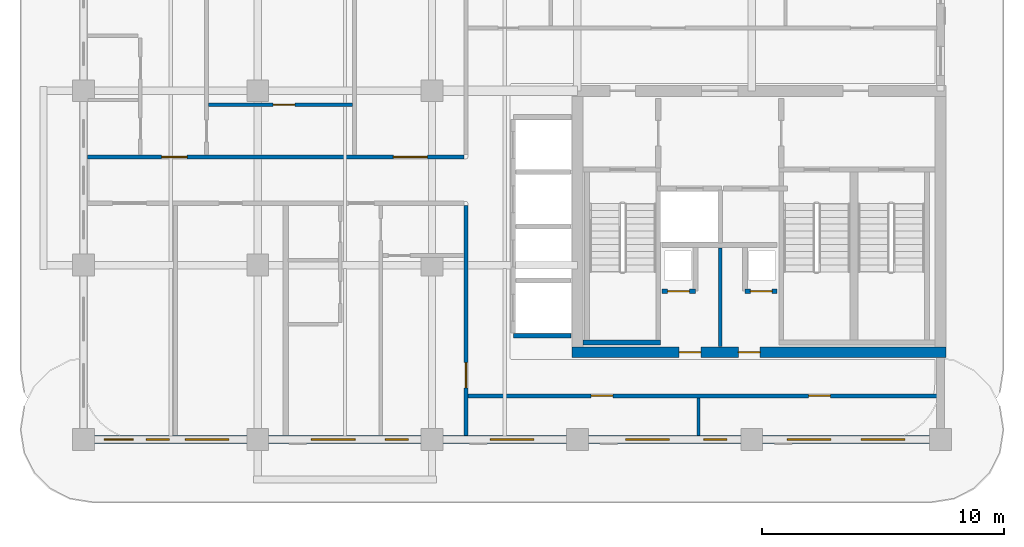
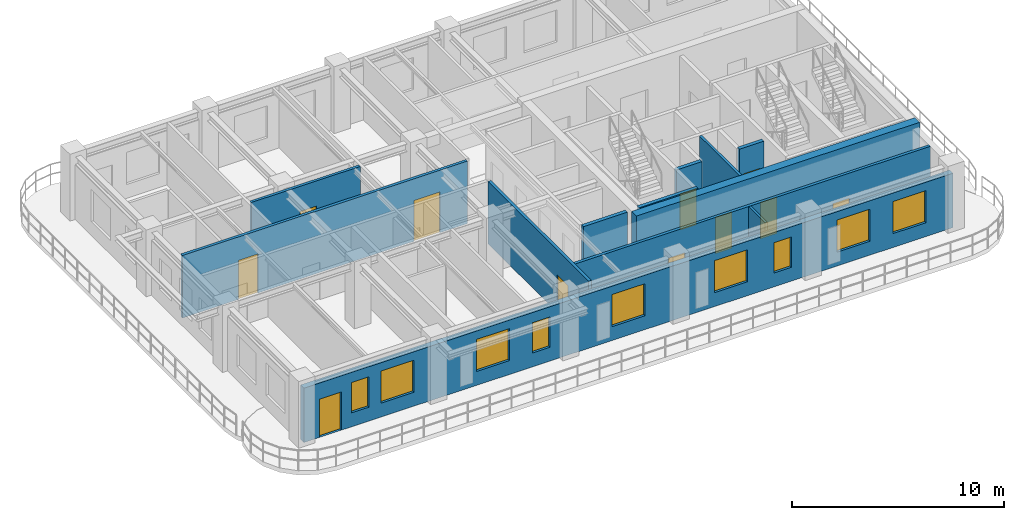
# One storey, part 3 of 8: 12 walls, 11 doors, 9 windows, 20 openings.
"""IFC4 building model written with IfcOpenShell, lengths in metres."""

from ifc_helpers import new_model, si_unit, derived_unit, direction, frame, frame_2d, origin, place, context, subcontext, project, spatial, rectangle, extrude, source, transform, mapped, material, layer, layer_set, type_object, type_shapes, element, fill, save


model = new_model("IFC4")

# Units and contexts
model_context = context("Model", 3, precision=1e-05, world=origin(), true_north=direction((0.0, 1.0)))
body_context = subcontext(model_context, "Body", "Model", "MODEL_VIEW")
ifc_project = project(units=[si_unit("LENGTHUNIT", "METRE"), si_unit("AREAUNIT", "SQUARE_METRE"), si_unit("VOLUMEUNIT", "CUBIC_METRE"), si_unit("PLANEANGLEUNIT", "RADIAN"), si_unit("MASSUNIT", "GRAM", prefix="KILO"), si_unit("THERMODYNAMICTEMPERATUREUNIT", "KELVIN"), si_unit("POWERUNIT", "WATT"), derived_unit("THERMALTRANSMITTANCEUNIT", [(si_unit("POWERUNIT", "WATT"), 1), (si_unit("AREAUNIT", "SQUARE_METRE"), -1), (si_unit("THERMODYNAMICTEMPERATUREUNIT", "KELVIN"), -1)])], contexts=[model_context])

# Site, building, storey
site_placement = place(None, origin())
site = spatial("IfcSite", under=ifc_project, at=site_placement, CompositionType="ELEMENT")
building_placement = place(site_placement, origin())
building = spatial("IfcBuilding", under=site, at=building_placement, Name="Zahravan Archway Hotel and Residences", CompositionType="ELEMENT")
storey_placement = place(building_placement, frame((0.0, 0.0, 232.699951171875)))
storey = spatial("IfcBuildingStorey", under=building, at=storey_placement, Name="L58", CompositionType="ELEMENT", Elevation=232.699951171875)

# Wall, openings, doors
ifc_material_1 = material(Name="Concrete C50/60", Category="concrete")
ifc_layer_1 = layer(ifc_material_1, 0.449951171875, Name="Concrete C50/60", Category="concrete")
ifc_layer_set_1 = layer_set([ifc_layer_1], Name="Concrete C50/60")
wall_type_1 = type_object("IfcWallType", Name="CW-CORE-450", PredefinedType="SHEAR", material=ifc_layer_set_1)
wall_1_placement = place(storey_placement, frame((34.574951171875, 3.60009765625, 0.0), z_axis=(0.0, 0.0, 1.0), x_axis=(1.0, 0.0, 0.0)))
wall_1 = element("IfcWall", 1, at=wall_1_placement, inside=storey, type_object=wall_type_1, Name="L58 Core A Shear S Wall 450 mm", PredefinedType="SHEAR", context=body_context, shape_type="SweptSolid", body=[
    extrude(rectangle(XDim=15.449951171875, YDim=0.449951171875, at=frame_2d((7.72509765625, 0.0))), origin(), (0.0, 0.0, 1.0), 3.85009765625),
])
opening_1_placement = place(wall_1_placement, frame((4.425048828125, 0.0, 0.0)))
opening_1 = element("IfcOpeningElement", 2, at=opening_1_placement, cuts=wall_1, Name="Opening FD-R1", PredefinedType="OPENING", context=body_context, shape_type="SweptSolid", body=[
    extrude(rectangle(XDim=0.89990234375, YDim=2.10009765625, at=frame_2d((0.449951171875, 1.050048828125))), frame((0.0, 0.23486328125, 0.0), z_axis=(0.0, -1.0, 0.0), x_axis=(1.0, 0.0, 0.0)), (0.0, 0.0, 1.0), 0.469970703125),
])
opening_2_placement = place(wall_1_placement, frame((6.875, 0.0, 0.0)))
opening_2 = element("IfcOpeningElement", 3, at=opening_2_placement, cuts=wall_1, Name="Opening FD-R1", PredefinedType="OPENING", context=body_context, shape_type="SweptSolid", body=[
    extrude(rectangle(XDim=0.89990234375, YDim=2.10009765625, at=frame_2d((0.449951171875, 1.050048828125))), frame((0.0, 0.23486328125, 0.0), z_axis=(0.0, -1.0, 0.0), x_axis=(1.0, 0.0, 0.0)), (0.0, 0.0, 1.0), 0.469970703125),
])
ifc_material_2 = material(Name="Fire-Rated Painted Steel", Category="steel")
door_type_1 = type_object("IfcDoorType", Name="FD-RISER-900", OperationType="NOTDEFINED", PredefinedType="DOOR", material=ifc_material_2)
shared_shape_1 = source(origin(), body_context, "Body", "SweptSolid", [
    extrude(rectangle(XDim=0.89990234375, YDim=2.10009765625, at=frame_2d((0.449951171875, 1.050048828125))), frame((0.0, 0.02490234375, 0.0), z_axis=(0.0, -1.0, 0.0), x_axis=(1.0, 0.0, 0.0)), (0.0, 0.0, 1.0), 0.050048828125),
])
type_shapes(door_type_1, [shared_shape_1])
door_1_placement = place(opening_1_placement, origin())
door_1 = element("IfcDoor", 4, at=door_1_placement, inside=storey, type_object=door_type_1, Name="L58 Electrical Switchgear Door", OperationType="SINGLE_SWING_RIGHT", OverallHeight=2.10009765625, OverallWidth=0.89990234375, PredefinedType="DOOR", context=body_context, shape_type="MappedRepresentation", body=[
    mapped(shared_shape_1, transform((0.0, 0.0, 0.0), scale=1.0)),
])
fill(opening_1, door_1)
door_2_placement = place(opening_2_placement, origin())
door_2 = element("IfcDoor", 5, at=door_2_placement, inside=storey, type_object=door_type_1, Name="L58 Telecom BMS Door", OperationType="SINGLE_SWING_LEFT", OverallHeight=2.10009765625, OverallWidth=0.89990234375, PredefinedType="DOOR", context=body_context, shape_type="MappedRepresentation", body=[
    mapped(shared_shape_1, transform((0.0, 0.0, 0.0), scale=1.0)),
])
fill(opening_2, door_2)

# Wall, openings, door, windows
ifc_material_3 = material(Name="Agra Buff Sandstone & Insulated Backup", Category="masonry")
ifc_layer_2 = layer(ifc_material_3, 0.320068359375, Name="Agra Buff Sandstone & Insulated Backup", Category="masonry")
ifc_layer_set_2 = layer_set([ifc_layer_2], Name="Agra Buff Sandstone & Insulated Backup")
wall_type_2 = type_object("IfcWallType", Name="EW-SAND-320", PredefinedType="SOLIDWALL", material=ifc_layer_set_2)
wall_2_placement = place(storey_placement, frame((14.39990234375, 0.0, 0.0), z_axis=(0.0, 0.0, 1.0), x_axis=(1.0, 0.0, 0.0)))
wall_2 = element("IfcWall", 6, at=wall_2_placement, inside=storey, type_object=wall_type_2, Name="L58 Exterior Sandstone Wall WA-S", PredefinedType="SOLIDWALL", context=body_context, shape_type="SweptSolid", body=[
    extrude(rectangle(XDim=35.400146484375, YDim=0.320068359375, at=frame_2d((17.7001953125, 0.0))), origin(), (0.0, 0.0, 1.0), 3.135009765625),
])
opening_3_placement = place(wall_2_placement, frame((0.85009765625, 0.0, 0.0)))
opening_3 = element("IfcOpeningElement", 7, at=opening_3_placement, cuts=wall_2, Name="Opening ED-BL1", PredefinedType="OPENING", context=body_context, shape_type="SweptSolid", body=[
    extrude(rectangle(XDim=1.199951171875, YDim=2.199951171875, at=frame_2d((0.60009765625, 1.10009765625))), frame((0.0, 0.169921875, 0.0), z_axis=(0.0, -1.0, 0.0), x_axis=(1.0, 0.0, 0.0)), (0.0, 0.0, 1.0), 0.340087890625),
])
opening_4_placement = place(wall_2_placement, frame((2.595947265625, 0.0, 0.800048828125)))
opening_4 = element("IfcOpeningElement", 8, at=opening_4_placement, cuts=wall_2, Name="Opening W-04", PredefinedType="OPENING", context=body_context, shape_type="SweptSolid", body=[
    extrude(rectangle(XDim=0.949951171875, YDim=1.75, at=frame_2d((0.47509765625, 0.875))), frame((0.0, 0.169921875, 0.0), z_axis=(0.0, -1.0, 0.0), x_axis=(1.0, 0.0, 0.0)), (0.0, 0.0, 1.0), 0.340087890625),
])
opening_5_placement = place(wall_2_placement, frame((4.2041015625, 0.0, 0.800048828125)))
opening_5 = element("IfcOpeningElement", 9, at=opening_5_placement, cuts=wall_2, Name="Opening W-02", PredefinedType="OPENING", context=body_context, shape_type="SweptSolid", body=[
    extrude(rectangle(XDim=1.800048828125, YDim=1.85009765625, at=frame_2d((0.89990234375, 0.925048828125))), frame((0.0, 0.169921875, 0.0), z_axis=(0.0, -1.0, 0.0), x_axis=(1.0, 0.0, 0.0)), (0.0, 0.0, 1.0), 0.340087890625),
])
opening_6_placement = place(wall_2_placement, frame((9.4150390625, 0.0, 0.800048828125)))
opening_6 = element("IfcOpeningElement", 10, at=opening_6_placement, cuts=wall_2, Name="Opening W-02", PredefinedType="OPENING", context=body_context, shape_type="SweptSolid", body=[
    extrude(rectangle(XDim=1.800048828125, YDim=1.85009765625, at=frame_2d((0.89990234375, 0.925048828125))), frame((0.0, 0.169921875, 0.0), z_axis=(0.0, -1.0, 0.0), x_axis=(1.0, 0.0, 0.0)), (0.0, 0.0, 1.0), 0.340087890625),
])
opening_7_placement = place(wall_2_placement, frame((12.468994140625, 0.0, 0.800048828125)))
opening_7 = element("IfcOpeningElement", 11, at=opening_7_placement, cuts=wall_2, Name="Opening W-04", PredefinedType="OPENING", context=body_context, shape_type="SweptSolid", body=[
    extrude(rectangle(XDim=0.949951171875, YDim=1.75, at=frame_2d((0.47509765625, 0.875))), frame((0.0, 0.169921875, 0.0), z_axis=(0.0, -1.0, 0.0), x_axis=(1.0, 0.0, 0.0)), (0.0, 0.0, 1.0), 0.340087890625),
])
opening_8_placement = place(wall_2_placement, frame((16.803955078125, 0.0, 0.800048828125)))
opening_8 = element("IfcOpeningElement", 12, at=opening_8_placement, cuts=wall_2, Name="Opening W-02", PredefinedType="OPENING", context=body_context, shape_type="SweptSolid", body=[
    extrude(rectangle(XDim=1.800048828125, YDim=1.85009765625, at=frame_2d((0.89990234375, 0.925048828125))), frame((0.0, 0.169921875, 0.0), z_axis=(0.0, -1.0, 0.0), x_axis=(1.0, 0.0, 0.0)), (0.0, 0.0, 1.0), 0.340087890625),
])
opening_9_placement = place(wall_2_placement, frame((22.39599609375, 0.0, 0.800048828125)))
opening_9 = element("IfcOpeningElement", 13, at=opening_9_placement, cuts=wall_2, Name="Opening W-02", PredefinedType="OPENING", context=body_context, shape_type="SweptSolid", body=[
    extrude(rectangle(XDim=1.800048828125, YDim=1.85009765625, at=frame_2d((0.89990234375, 0.925048828125))), frame((0.0, 0.169921875, 0.0), z_axis=(0.0, -1.0, 0.0), x_axis=(1.0, 0.0, 0.0)), (0.0, 0.0, 1.0), 0.340087890625),
])
opening_10_placement = place(wall_2_placement, frame((25.62890625, 0.0, 0.800048828125)))
opening_10 = element("IfcOpeningElement", 14, at=opening_10_placement, cuts=wall_2, Name="Opening W-04", PredefinedType="OPENING", context=body_context, shape_type="SweptSolid", body=[
    extrude(rectangle(XDim=0.949951171875, YDim=1.75, at=frame_2d((0.47509765625, 0.875))), frame((0.0, 0.169921875, 0.0), z_axis=(0.0, -1.0, 0.0), x_axis=(1.0, 0.0, 0.0)), (0.0, 0.0, 1.0), 0.340087890625),
])
opening_11_placement = place(wall_2_placement, frame((29.074951171875, 0.0, 0.800048828125)))
opening_11 = element("IfcOpeningElement", 15, at=opening_11_placement, cuts=wall_2, Name="Opening W-02", PredefinedType="OPENING", context=body_context, shape_type="SweptSolid", body=[
    extrude(rectangle(XDim=1.800048828125, YDim=1.85009765625, at=frame_2d((0.89990234375, 0.925048828125))), frame((0.0, 0.169921875, 0.0), z_axis=(0.0, -1.0, 0.0), x_axis=(1.0, 0.0, 0.0)), (0.0, 0.0, 1.0), 0.340087890625),
])
opening_12_placement = place(wall_2_placement, frame((32.125, 0.0, 0.800048828125)))
opening_12 = element("IfcOpeningElement", 16, at=opening_12_placement, cuts=wall_2, Name="Opening W-02", PredefinedType="OPENING", context=body_context, shape_type="SweptSolid", body=[
    extrude(rectangle(XDim=1.800048828125, YDim=1.85009765625, at=frame_2d((0.89990234375, 0.925048828125))), frame((0.0, 0.169921875, 0.0), z_axis=(0.0, -1.0, 0.0), x_axis=(1.0, 0.0, 0.0)), (0.0, 0.0, 1.0), 0.340087890625),
])
ifc_material_4 = material(Name="Bronze-Anodized Glazed Aluminium", Category="aluminium")
door_type_2 = type_object("IfcDoorType", Name="ED-BALC-1200", OperationType="SLIDING_TO_LEFT", PredefinedType="DOOR", material=ifc_material_4)
shared_shape_2 = source(origin(), body_context, "Body", "SweptSolid", [
    extrude(rectangle(XDim=1.199951171875, YDim=2.199951171875, at=frame_2d((0.60009765625, 1.10009765625))), frame((0.0, 0.02490234375, 0.0), z_axis=(0.0, -1.0, 0.0), x_axis=(1.0, 0.0, 0.0)), (0.0, 0.0, 1.0), 0.050048828125),
])
type_shapes(door_type_2, [shared_shape_2])
door_3_placement = place(opening_3_placement, origin())
door_3 = element("IfcDoor", 17, at=door_3_placement, inside=storey, type_object=door_type_2, Name="L58 Outdoor Access Sliding Door (SLB-BAL-L58-SA)", OperationType="SLIDING_TO_LEFT", OverallHeight=2.199951171875, OverallWidth=1.199951171875, PredefinedType="DOOR", context=body_context, shape_type="MappedRepresentation", body=[
    mapped(shared_shape_2, transform((0.0, 0.0, 0.0), scale=1.0)),
])
fill(opening_3, door_3)
ifc_material_5 = material(Name="Bronze-Anodized Thermal-Break Aluminium & Low-E Glass", Category="aluminium")
window_type_1 = type_object("IfcWindowType", Name="WIN-NAR-950", PartitioningType="SINGLE_PANEL", PredefinedType="WINDOW", material=ifc_material_5)
shared_shape_3 = source(origin(), body_context, "Body", "SweptSolid", [
    extrude(rectangle(XDim=0.949951171875, YDim=1.75, at=frame_2d((0.47509765625, 0.875))), frame((0.0, 0.030029296875, 0.0), z_axis=(0.0, -1.0, 0.0), x_axis=(1.0, 0.0, 0.0)), (0.0, 0.0, 1.0), 0.06005859375),
])
type_shapes(window_type_1, [shared_shape_3])
window_1_placement = place(opening_4_placement, origin())
window_1 = element("IfcWindow", 18, at=window_1_placement, inside=storey, type_object=window_type_1, Name="L58 Loggia Window 01", OverallHeight=1.75, OverallWidth=0.949951171875, PartitioningType="SINGLE_PANEL", PredefinedType="WINDOW", context=body_context, shape_type="MappedRepresentation", body=[
    mapped(shared_shape_3, transform((0.0, 0.0, 0.0), scale=1.0)),
])
fill(opening_4, window_1)
window_2_placement = place(opening_7_placement, origin())
window_2 = element("IfcWindow", 19, at=window_2_placement, inside=storey, type_object=window_type_1, Name="L58 Loggia Window 04", OverallHeight=1.75, OverallWidth=0.949951171875, PartitioningType="SINGLE_PANEL", PredefinedType="WINDOW", context=body_context, shape_type="MappedRepresentation", body=[
    mapped(shared_shape_3, transform((0.0, 0.0, 0.0), scale=1.0)),
])
fill(opening_7, window_2)
window_3_placement = place(opening_10_placement, origin())
window_3 = element("IfcWindow", 20, at=window_3_placement, inside=storey, type_object=window_type_1, Name="L58 Loggia Window 07", OverallHeight=1.75, OverallWidth=0.949951171875, PartitioningType="SINGLE_PANEL", PredefinedType="WINDOW", context=body_context, shape_type="MappedRepresentation", body=[
    mapped(shared_shape_3, transform((0.0, 0.0, 0.0), scale=1.0)),
])
fill(opening_10, window_3)
window_type_2 = type_object("IfcWindowType", Name="WIN-TWR-1800", PartitioningType="DOUBLE_PANEL_VERTICAL", PredefinedType="WINDOW", material=ifc_material_5)
shared_shape_4 = source(origin(), body_context, "Body", "SweptSolid", [
    extrude(rectangle(XDim=1.800048828125, YDim=1.85009765625, at=frame_2d((0.89990234375, 0.925048828125))), frame((0.0, 0.030029296875, 0.0), z_axis=(0.0, -1.0, 0.0), x_axis=(1.0, 0.0, 0.0)), (0.0, 0.0, 1.0), 0.06005859375),
])
type_shapes(window_type_2, [shared_shape_4])
window_4_placement = place(opening_5_placement, origin())
window_4 = element("IfcWindow", 21, at=window_4_placement, inside=storey, type_object=window_type_2, Name="L58 Loggia Window 02", OverallHeight=1.85009765625, OverallWidth=1.800048828125, PartitioningType="DOUBLE_PANEL_VERTICAL", PredefinedType="WINDOW", context=body_context, shape_type="MappedRepresentation", body=[
    mapped(shared_shape_4, transform((0.0, 0.0, 0.0), scale=1.0)),
])
fill(opening_5, window_4)
window_5_placement = place(opening_6_placement, origin())
window_5 = element("IfcWindow", 22, at=window_5_placement, inside=storey, type_object=window_type_2, Name="L58 Loggia Window 03", OverallHeight=1.85009765625, OverallWidth=1.800048828125, PartitioningType="DOUBLE_PANEL_VERTICAL", PredefinedType="WINDOW", context=body_context, shape_type="MappedRepresentation", body=[
    mapped(shared_shape_4, transform((0.0, 0.0, 0.0), scale=1.0)),
])
fill(opening_6, window_5)
window_6_placement = place(opening_8_placement, origin())
window_6 = element("IfcWindow", 23, at=window_6_placement, inside=storey, type_object=window_type_2, Name="L58 Loggia Window 05", OverallHeight=1.85009765625, OverallWidth=1.800048828125, PartitioningType="DOUBLE_PANEL_VERTICAL", PredefinedType="WINDOW", context=body_context, shape_type="MappedRepresentation", body=[
    mapped(shared_shape_4, transform((0.0, 0.0, 0.0), scale=1.0)),
])
fill(opening_8, window_6)
window_7_placement = place(opening_9_placement, origin())
window_7 = element("IfcWindow", 24, at=window_7_placement, inside=storey, type_object=window_type_2, Name="L58 Loggia Window 06", OverallHeight=1.85009765625, OverallWidth=1.800048828125, PartitioningType="DOUBLE_PANEL_VERTICAL", PredefinedType="WINDOW", context=body_context, shape_type="MappedRepresentation", body=[
    mapped(shared_shape_4, transform((0.0, 0.0, 0.0), scale=1.0)),
])
fill(opening_9, window_7)
window_8_placement = place(opening_11_placement, origin())
window_8 = element("IfcWindow", 25, at=window_8_placement, inside=storey, type_object=window_type_2, Name="L58 Loggia Window 08", OverallHeight=1.85009765625, OverallWidth=1.800048828125, PartitioningType="DOUBLE_PANEL_VERTICAL", PredefinedType="WINDOW", context=body_context, shape_type="MappedRepresentation", body=[
    mapped(shared_shape_4, transform((0.0, 0.0, 0.0), scale=1.0)),
])
fill(opening_11, window_8)
window_9_placement = place(opening_12_placement, origin())
window_9 = element("IfcWindow", 26, at=window_9_placement, inside=storey, type_object=window_type_2, Name="L58 Loggia Window 09", OverallHeight=1.85009765625, OverallWidth=1.800048828125, PartitioningType="DOUBLE_PANEL_VERTICAL", PredefinedType="WINDOW", context=body_context, shape_type="MappedRepresentation", body=[
    mapped(shared_shape_4, transform((0.0, 0.0, 0.0), scale=1.0)),
])
fill(opening_12, window_9)

# Wall, openings, doors
ifc_material_6 = material(Name="Fire-Rated Gypsum & Concrete Block", Category="concrete")
ifc_layer_3 = layer(ifc_material_6, 0.159912109375, Name="Fire-Rated Gypsum & Concrete Block", Category="concrete")
ifc_layer_set_3 = layer_set([ifc_layer_3], Name="Fire-Rated Gypsum & Concrete Block")
wall_type_3 = type_object("IfcWallType", Name="PW-CORR-160", PredefinedType="PARTITIONING", material=ifc_layer_set_3)
wall_3_placement = place(storey_placement, frame((14.568115234375, 11.669921875, 0.0), z_axis=(0.0, 0.0, 1.0), x_axis=(1.0, 0.0, 0.0)))
wall_3 = element("IfcWall", 27, at=wall_3_placement, inside=storey, type_object=wall_type_3, Name="L58 Partition WA-CN", PredefinedType="PARTITIONING", context=body_context, shape_type="SweptSolid", body=[
    extrude(rectangle(XDim=15.5419921875, YDim=0.159912109375, at=frame_2d((7.77099609375, 0.0))), origin(), (0.0, 0.0, 1.0), 3.60009765625),
])
opening_13_placement = place(wall_3_placement, frame((3.06201171875, 0.0, 0.0)))
opening_13 = element("IfcOpeningElement", 28, at=opening_13_placement, cuts=wall_3, Name="Opening D-U1", PredefinedType="OPENING", context=body_context, shape_type="SweptSolid", body=[
    extrude(rectangle(XDim=1.050048828125, YDim=2.25, at=frame_2d((0.52490234375, 1.125))), frame((0.0, 0.08984375, 0.0), z_axis=(0.0, -1.0, 0.0), x_axis=(1.0, 0.0, 0.0)), (0.0, 0.0, 1.0), 0.179931640625),
])
opening_14_placement = place(wall_3_placement, frame((12.632080078125, 0.0, 0.0)))
opening_14 = element("IfcOpeningElement", 29, at=opening_14_placement, cuts=wall_3, Name="Opening D-P1", PredefinedType="OPENING", context=body_context, shape_type="SweptSolid", body=[
    extrude(rectangle(XDim=1.39990234375, YDim=2.35009765625, at=frame_2d((0.699951171875, 1.175048828125))), frame((0.0, 0.08984375, 0.0), z_axis=(0.0, -1.0, 0.0), x_axis=(1.0, 0.0, 0.0)), (0.0, 0.0, 1.0), 0.179931640625),
])
door_type_3 = type_object("IfcDoorType", Name="ID-PUBLIC-1400", OperationType="DOUBLE_DOOR_SINGLE_SWING", PredefinedType="DOOR", material=ifc_material_4)
shared_shape_5 = source(origin(), body_context, "Body", "SweptSolid", [
    extrude(rectangle(XDim=1.39990234375, YDim=2.35009765625, at=frame_2d((0.699951171875, 1.175048828125))), frame((0.0, 0.02490234375, 0.0), z_axis=(0.0, -1.0, 0.0), x_axis=(1.0, 0.0, 0.0)), (0.0, 0.0, 1.0), 0.050048828125),
])
type_shapes(door_type_3, [shared_shape_5])
door_4_placement = place(opening_14_placement, origin())
door_4 = element("IfcDoor", 30, at=door_4_placement, inside=storey, type_object=door_type_3, Name="L58 North Sky Library Door", OperationType="DOUBLE_DOOR_SINGLE_SWING", OverallHeight=2.35009765625, OverallWidth=1.39990234375, PredefinedType="DOOR", context=body_context, shape_type="MappedRepresentation", body=[
    mapped(shared_shape_5, transform((0.0, 0.0, 0.0), scale=1.0)),
])
fill(opening_14, door_4)
ifc_material_7 = material(Name="Hardwood Veneer Timber", Category="wood")
door_type_4 = type_object("IfcDoorType", Name="ID-UNIT-1050", OperationType="NOTDEFINED", PredefinedType="DOOR", material=ifc_material_7)
shared_shape_6 = source(origin(), body_context, "Body", "SweptSolid", [
    extrude(rectangle(XDim=1.050048828125, YDim=2.25, at=frame_2d((0.52490234375, 1.125))), frame((0.0, 0.02490234375, 0.0), z_axis=(0.0, -1.0, 0.0), x_axis=(1.0, 0.0, 0.0)), (0.0, 0.0, 1.0), 0.050048828125),
])
type_shapes(door_type_4, [shared_shape_6])
door_5_placement = place(opening_13_placement, origin())
door_5 = element("IfcDoor", 31, at=door_5_placement, inside=storey, type_object=door_type_4, Name="L58 Flat N1 Entrance Door", OperationType="SINGLE_SWING_LEFT", OverallHeight=2.25, OverallWidth=1.050048828125, PredefinedType="DOOR", context=body_context, shape_type="MappedRepresentation", body=[
    mapped(shared_shape_6, transform((0.0, 0.0, 0.0), scale=1.0)),
])
fill(opening_13, door_5)

# Wall, opening, door
wall_4_placement = place(storey_placement, frame((30.199951171875, 0.16796875, 0.0), z_axis=(0.0, 0.0, 1.0), x_axis=(0.0, 1.0, 0.0)))
wall_4 = element("IfcWall", 32, at=wall_4_placement, inside=storey, type_object=wall_type_3, Name="L58 Partition WA-SRW", PredefinedType="PARTITIONING", context=body_context, shape_type="SweptSolid", body=[
    extrude(rectangle(XDim=9.491943359375, YDim=0.159912109375, at=frame_2d((4.74609375, 0.0))), origin(), (0.0, 0.0, 1.0), 3.60009765625),
])
opening_15_placement = place(wall_4_placement, frame((1.95703125, 0.0, 0.0)))
opening_15 = element("IfcOpeningElement", 33, at=opening_15_placement, cuts=wall_4, Name="Opening FD-L2", PredefinedType="OPENING", context=body_context, shape_type="SweptSolid", body=[
    extrude(rectangle(XDim=1.050048828125, YDim=2.14990234375, at=frame_2d((0.52490234375, 1.074951171875))), frame((0.0, 0.08984375, 0.0), z_axis=(0.0, -1.0, 0.0), x_axis=(1.0, 0.0, 0.0)), (0.0, 0.0, 1.0), 0.179931640625),
])
door_type_5 = type_object("IfcDoorType", Name="FD-LOBBY-1100", OperationType="NOTDEFINED", PredefinedType="DOOR", material=ifc_material_2)
shared_shape_7 = source(origin(), body_context, "Body", "SweptSolid", [
    extrude(rectangle(XDim=1.050048828125, YDim=2.14990234375, at=frame_2d((0.52490234375, 1.074951171875))), frame((0.0, 0.02490234375, 0.0), z_axis=(0.0, -1.0, 0.0), x_axis=(1.0, 0.0, 0.0)), (0.0, 0.0, 1.0), 0.050048828125),
])
type_shapes(door_type_5, [shared_shape_7])
door_6_placement = place(opening_15_placement, origin())
door_6 = element("IfcDoor", 34, at=door_6_placement, inside=storey, type_object=door_type_5, Name="L58 South Riser Corridor Door", OperationType="SINGLE_SWING_RIGHT", OverallHeight=2.14990234375, OverallWidth=1.050048828125, PredefinedType="DOOR", context=body_context, shape_type="MappedRepresentation", body=[
    mapped(shared_shape_7, transform((0.0, 0.0, 0.0), scale=1.0)),
])
fill(opening_15, door_6)

# Wall, openings, doors
wall_5_placement = place(storey_placement, frame((30.2900390625, 1.800048828125, 0.0), z_axis=(0.0, 0.0, 1.0), x_axis=(1.0, 0.0, 0.0)))
wall_5 = element("IfcWall", 35, at=wall_5_placement, inside=storey, type_object=wall_type_3, Name="L58 Partition WA-SRS", PredefinedType="PARTITIONING", context=body_context, shape_type="SweptSolid", body=[
    extrude(rectangle(XDim=19.369873046875, YDim=0.159912109375, at=frame_2d((9.68505859375, 0.0))), origin(), (0.0, 0.0, 1.0), 3.60009765625),
])
opening_16_placement = place(wall_5_placement, frame((5.07421875, 0.0, 0.0)))
opening_16 = element("IfcOpeningElement", 36, at=opening_16_placement, cuts=wall_5, Name="Opening D-I2", PredefinedType="OPENING", context=body_context, shape_type="SweptSolid", body=[
    extrude(rectangle(XDim=0.89990234375, YDim=2.14990234375, at=frame_2d((0.449951171875, 1.074951171875))), frame((0.0, 0.08984375, 0.0), z_axis=(0.0, -1.0, 0.0), x_axis=(1.0, 0.0, 0.0)), (0.0, 0.0, 1.0), 0.179931640625),
])
opening_17_placement = place(wall_5_placement, frame((14.06005859375, 0.0, 0.0)))
opening_17 = element("IfcOpeningElement", 37, at=opening_17_placement, cuts=wall_5, Name="Opening D-I2", PredefinedType="OPENING", context=body_context, shape_type="SweptSolid", body=[
    extrude(rectangle(XDim=0.89990234375, YDim=2.14990234375, at=frame_2d((0.449951171875, 1.074951171875))), frame((0.0, 0.08984375, 0.0), z_axis=(0.0, -1.0, 0.0), x_axis=(1.0, 0.0, 0.0)), (0.0, 0.0, 1.0), 0.179931640625),
])
door_type_6 = type_object("IfcDoorType", Name="ID-INT-900", OperationType="NOTDEFINED", PredefinedType="DOOR", material=ifc_material_7)
shared_shape_8 = source(origin(), body_context, "Body", "SweptSolid", [
    extrude(rectangle(XDim=0.89990234375, YDim=2.14990234375, at=frame_2d((0.449951171875, 1.074951171875))), frame((0.0, 0.02490234375, 0.0), z_axis=(0.0, -1.0, 0.0), x_axis=(1.0, 0.0, 0.0)), (0.0, 0.0, 1.0), 0.050048828125),
])
type_shapes(door_type_6, [shared_shape_8])
door_7_placement = place(opening_16_placement, origin())
door_7 = element("IfcDoor", 38, at=door_7_placement, inside=storey, type_object=door_type_6, Name="L58 South Study Door", OperationType="SINGLE_SWING_LEFT", OverallHeight=2.14990234375, OverallWidth=0.89990234375, PredefinedType="DOOR", context=body_context, shape_type="MappedRepresentation", body=[
    mapped(shared_shape_8, transform((0.0, 0.0, 0.0), scale=1.0)),
])
fill(opening_16, door_7)
door_8_placement = place(opening_17_placement, origin())
door_8 = element("IfcDoor", 39, at=door_8_placement, inside=storey, type_object=door_type_6, Name="L58 South Pantry Door", OperationType="SINGLE_SWING_RIGHT", OverallHeight=2.14990234375, OverallWidth=0.89990234375, PredefinedType="DOOR", context=body_context, shape_type="MappedRepresentation", body=[
    mapped(shared_shape_8, transform((0.0, 0.0, 0.0), scale=1.0)),
])
fill(opening_17, door_8)

# Wall
ifc_material_8 = material(Name="Acoustic Stud Partition")
ifc_layer_4 = layer(ifc_material_8, 0.125, Name="Acoustic Stud Partition")
ifc_layer_set_4 = layer_set([ifc_layer_4], Name="Acoustic Stud Partition")
wall_type_4 = type_object("IfcWallType", Name="PW-INT-125", PredefinedType="PARTITIONING", material=ifc_layer_set_4)
wall_6_placement = place(storey_placement, frame((39.800048828125, 0.16796875, 0.0), z_axis=(0.0, 0.0, 1.0), x_axis=(0.0, 1.0, 0.0)))
element("IfcWall", 40, at=wall_6_placement, inside=storey, type_object=wall_type_4, Name="L58 Partition S-DIV1", PredefinedType="PARTITIONING", context=body_context, shape_type="SweptSolid", body=[
    extrude(rectangle(XDim=1.5419921875, YDim=0.125, at=frame_2d((0.77099609375, 0.0))), origin(), (0.0, 0.0, 1.0), 3.60009765625),
])

# Wall, opening, door
ifc_layer_5 = layer(ifc_material_6, 0.199951171875, Name="Fire-Rated Gypsum & Concrete Block", Category="concrete")
ifc_layer_set_5 = layer_set([ifc_layer_5], Name="Fire-Rated Gypsum & Concrete Block")
wall_type_5 = type_object("IfcWallType", Name="PW-SHAFT-200", PredefinedType="PARTITIONING", material=ifc_layer_set_5)
wall_7_placement = place(storey_placement, frame((38.2900390625, 6.1201171875, 0.0), z_axis=(0.0, 0.0, 1.0), x_axis=(1.0, 0.0, 0.0)))
wall_7 = element("IfcWall", 41, at=wall_7_placement, inside=storey, type_object=wall_type_5, Name="L58 Partition CA-SMKS", PredefinedType="PARTITIONING", context=body_context, shape_type="SweptSolid", body=[
    extrude(rectangle(XDim=1.3798828125, YDim=0.199951171875, at=frame_2d((0.68994140625, 0.0))), origin(), (0.0, 0.0, 1.0), 3.60009765625),
])
opening_18_placement = place(wall_7_placement, frame((0.239990234375, 0.0, 0.0)))
opening_18 = element("IfcOpeningElement", 42, at=opening_18_placement, cuts=wall_7, Name="Opening FD-R1", PredefinedType="OPENING", context=body_context, shape_type="SweptSolid", body=[
    extrude(rectangle(XDim=0.89990234375, YDim=2.10009765625, at=frame_2d((0.449951171875, 1.050048828125))), frame((0.0, 0.10986328125, 0.0), z_axis=(0.0, -1.0, 0.0), x_axis=(1.0, 0.0, 0.0)), (0.0, 0.0, 1.0), 0.219970703125),
])
door_9_placement = place(opening_18_placement, origin())
door_9 = element("IfcDoor", 43, at=door_9_placement, inside=storey, type_object=door_type_1, Name="L58 Smoke Riser Access Door", OperationType="SINGLE_SWING_RIGHT", OverallHeight=2.10009765625, OverallWidth=0.89990234375, PredefinedType="DOOR", context=body_context, shape_type="MappedRepresentation", body=[
    mapped(shared_shape_1, transform((0.0, 0.0, 0.0), scale=1.0)),
])
fill(opening_18, door_9)

wall_8_placement = place(storey_placement, frame((41.72998046875, 6.1201171875, 0.0), z_axis=(0.0, 0.0, 1.0), x_axis=(1.0, 0.0, 0.0)))
wall_8 = element("IfcWall", 44, at=wall_8_placement, inside=storey, type_object=wall_type_5, Name="L58 Partition CA-MEPS", PredefinedType="PARTITIONING", context=body_context, shape_type="SweptSolid", body=[
    extrude(rectangle(XDim=1.320068359375, YDim=0.199951171875, at=frame_2d((0.66015625, 0.0))), origin(), (0.0, 0.0, 1.0), 3.60009765625),
])
opening_19_placement = place(wall_8_placement, frame((0.219970703125, 0.0, 0.0)))
opening_19 = element("IfcOpeningElement", 45, at=opening_19_placement, cuts=wall_8, Name="Opening FD-R1", PredefinedType="OPENING", context=body_context, shape_type="SweptSolid", body=[
    extrude(rectangle(XDim=0.89990234375, YDim=2.10009765625, at=frame_2d((0.449951171875, 1.050048828125))), frame((0.0, 0.10986328125, 0.0), z_axis=(0.0, -1.0, 0.0), x_axis=(1.0, 0.0, 0.0)), (0.0, 0.0, 1.0), 0.219970703125),
])
door_10_placement = place(opening_19_placement, origin())
door_10 = element("IfcDoor", 46, at=door_10_placement, inside=storey, type_object=door_type_1, Name="L58 MEP Riser Access Door", OperationType="SINGLE_SWING_LEFT", OverallHeight=2.10009765625, OverallWidth=0.89990234375, PredefinedType="DOOR", context=body_context, shape_type="MappedRepresentation", body=[
    mapped(shared_shape_1, transform((0.0, 0.0, 0.0), scale=1.0)),
])
fill(opening_19, door_10)

# Wall
wall_9_placement = place(storey_placement, frame((32.159912109375, 4.280029296875, 0.0), z_axis=(0.0, 0.0, 1.0), x_axis=(1.0, 0.0, 0.0)))
element("IfcWall", 47, at=wall_9_placement, inside=storey, type_object=wall_type_5, Name="L58 Partition B3-S", PredefinedType="PARTITIONING", context=body_context, shape_type="SweptSolid", body=[
    extrude(rectangle(XDim=2.385009765625, YDim=0.199951171875, at=frame_2d((1.1923828125, 0.0))), origin(), (0.0, 0.0, 1.0), 3.60009765625),
])

# Wall, opening, door
ifc_layer_6 = layer(ifc_material_8, 0.14990234375, Name="Acoustic Stud Partition")
ifc_layer_set_6 = layer_set([ifc_layer_6], Name="Acoustic Stud Partition")
wall_type_6 = type_object("IfcWallType", Name="PW-UNIT-150", PredefinedType="PARTITIONING", material=ifc_layer_set_6)
wall_10_placement = place(storey_placement, frame((19.570068359375, 13.820068359375, 0.0), z_axis=(0.0, 0.0, 1.0), x_axis=(1.0, 0.0, 0.0)))
wall_10 = element("IfcWall", 48, at=wall_10_placement, inside=storey, type_object=wall_type_6, Name="L58 Partition FL-N1-GH", PredefinedType="PARTITIONING", context=body_context, shape_type="SweptSolid", body=[
    extrude(rectangle(XDim=5.93994140625, YDim=0.14990234375, at=frame_2d((2.969970703125, 0.0))), origin(), (0.0, 0.0, 1.0), 3.60009765625),
])
opening_20_placement = place(wall_10_placement, frame((2.65869140625, 0.0, 0.0)))
opening_20 = element("IfcOpeningElement", 49, at=opening_20_placement, cuts=wall_10, Name="Opening D-I2", PredefinedType="OPENING", context=body_context, shape_type="SweptSolid", body=[
    extrude(rectangle(XDim=0.89990234375, YDim=2.14990234375, at=frame_2d((0.449951171875, 1.074951171875))), frame((0.0, 0.0849609375, 0.0), z_axis=(0.0, -1.0, 0.0), x_axis=(1.0, 0.0, 0.0)), (0.0, 0.0, 1.0), 0.169921875),
])
door_11_placement = place(opening_20_placement, origin())
door_11 = element("IfcDoor", 50, at=door_11_placement, inside=storey, type_object=door_type_6, Name="L58 Flat N1 Bedroom 1 Door", OperationType="SINGLE_SWING_RIGHT", OverallHeight=2.14990234375, OverallWidth=0.89990234375, PredefinedType="DOOR", context=body_context, shape_type="MappedRepresentation", body=[
    mapped(shared_shape_8, transform((0.0, 0.0, 0.0), scale=1.0)),
])
fill(opening_20, door_11)

# Walls
ifc_material_9 = material(Name="Moisture-Resistant Blockwork", Category="masonry")
ifc_layer_7 = layer(ifc_material_9, 0.139892578125, Name="Moisture-Resistant Blockwork", Category="masonry")
ifc_layer_set_7 = layer_set([ifc_layer_7], Name="Moisture-Resistant Blockwork")
wall_type_7 = type_object("IfcWallType", Name="PW-WET-140", PredefinedType="PARTITIONING", material=ifc_layer_set_7)
wall_11_placement = place(storey_placement, frame((40.699951171875, 3.844970703125, 0.0), z_axis=(0.0, 0.0, 1.0), x_axis=(0.0, 1.0, 0.0)))
element("IfcWall", 51, at=wall_11_placement, inside=storey, type_object=wall_type_7, Name="L58 Partition CA-CV0", PredefinedType="PARTITIONING", context=body_context, shape_type="SweptSolid", body=[
    extrude(rectangle(XDim=4.06494140625, YDim=0.139892578125, at=frame_2d((2.032470703125, 0.0))), origin(), (0.0, 0.0, 1.0), 3.60009765625),
])
ifc_layer_8 = layer(ifc_material_1, 0.199951171875, Name="Concrete C50/60", Category="concrete")
ifc_layer_set_8 = layer_set([ifc_layer_8], Name="Concrete C50/60")
wall_type_8 = type_object("IfcWallType", Name="SW-STAIR-200", PredefinedType="SHEAR", material=ifc_layer_set_8)
wall_12_placement = place(storey_placement, frame((35.02490234375, 4.0, 0.0), z_axis=(0.0, 0.0, 1.0), x_axis=(1.0, 0.0, 0.0)))
element("IfcWall", 52, at=wall_12_placement, inside=storey, type_object=wall_type_8, Name="L58 Stairwell RC Wall CA-SA1S", PredefinedType="SHEAR", context=body_context, shape_type="SweptSolid", body=[
    extrude(rectangle(XDim=3.215087890625, YDim=0.199951171875, at=frame_2d((1.607421875, 0.0))), origin(), (0.0, 0.0, 1.0), 3.85009765625),
])

save(model, "model.ifc")
